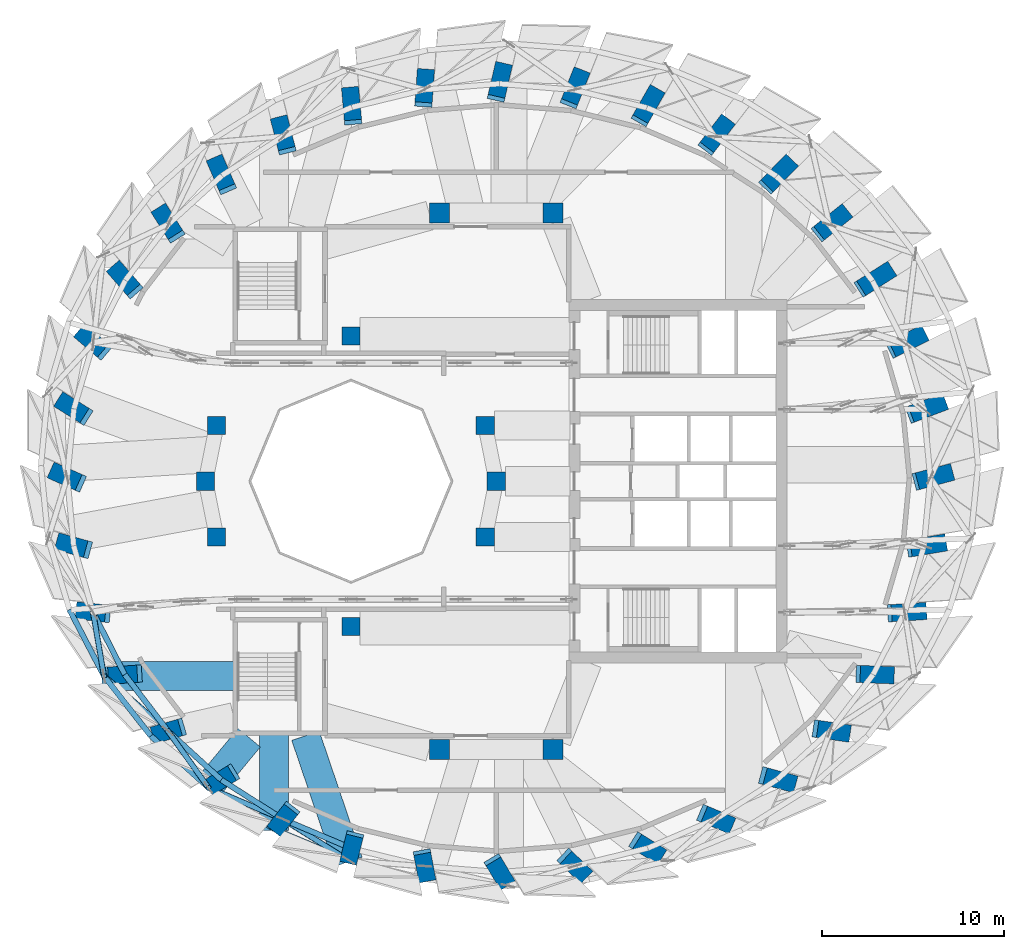
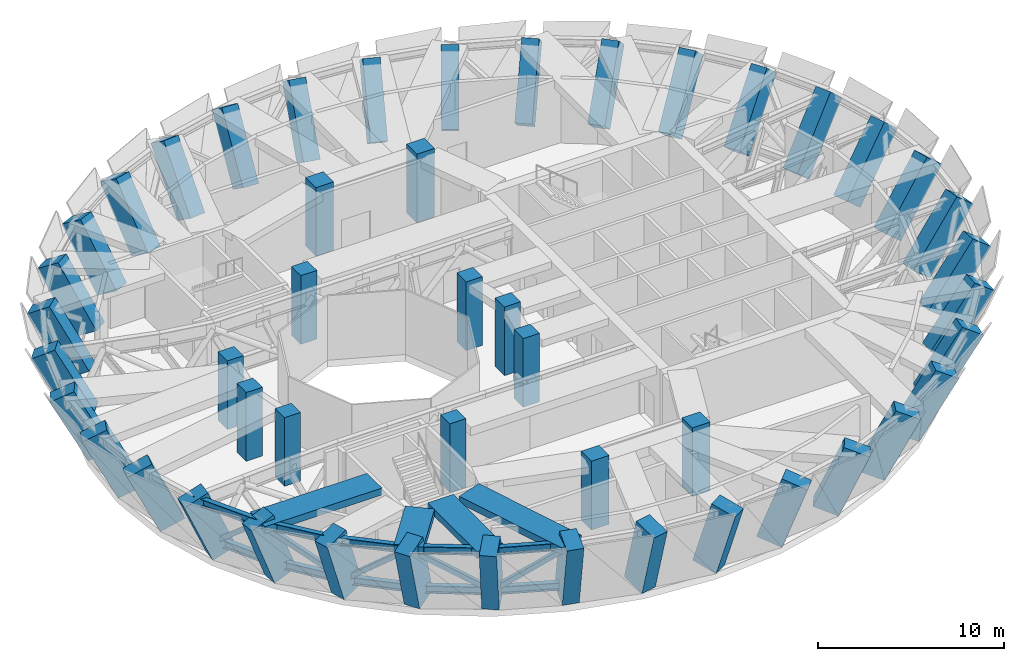
# One storey, part 1 of 16: 48 columns, 15 members, 4 beams.
"""IFC4 building model written with IfcOpenShell, lengths in metres."""

from ifc_helpers import new_model, si_unit, direction, frame, origin, origin_2d, place, context, subcontext, project, spatial, rectangle, hollow_rectangle, i_section, extrude, material, material_profile, profile_set, type_object, element, save


model = new_model("IFC4")

# Units and contexts
model_context = context("Model", 3, precision=1e-05, world=origin(), true_north=direction((0.0, 1.0)))
body_context = subcontext(model_context, "Body", "Model", "MODEL_VIEW")
ifc_project = project(units=[si_unit("LENGTHUNIT", "METRE"), si_unit("AREAUNIT", "SQUARE_METRE"), si_unit("VOLUMEUNIT", "CUBIC_METRE"), si_unit("PLANEANGLEUNIT", "RADIAN"), si_unit("MASSUNIT", "GRAM", prefix="KILO")], contexts=[model_context])

# Site, building, storey
site_placement = place(None, origin())
site = spatial("IfcSite", under=ifc_project, at=site_placement, CompositionType="ELEMENT")
building_placement = place(site_placement, origin())
building = spatial("IfcBuilding", under=site, at=building_placement, Name="Taillehof Tower", CompositionType="ELEMENT")
storey_placement = place(building_placement, frame((0.0, 0.0, 184.699951171875)))
storey = spatial("IfcBuildingStorey", under=building, at=storey_placement, Name="L52", CompositionType="ELEMENT", Elevation=184.699951171875)

# Columns
ifc_material_1 = material(Name="Concrete C50/60", Category="concrete")
ifc_material_profile_1 = material_profile(ifc_material_1, rectangle(XDim=1.0, YDim=1.0, at=origin_2d()), Name="RC 1000x1000")
ifc_profile_set_1 = profile_set([ifc_material_profile_1], Name="Concrete C50/60")
column_type_1 = type_object("IfcColumnType", Name="Atrium ring column C50/60 1000x1000", PredefinedType="COLUMN", material=ifc_profile_set_1)
for number, where, z_axis, x_axis, name in (
    (1, (0.0, 0.0, 0.0), (0.0, 0.0, 1.0), (1.0, 0.0, 0.0), "Column AC01"),
    (2, (-0.60888671875, 3.0615234375, 0.0), (0.0, 0.0, 1.0), (1.0, 0.0, 0.0), "Column AC02"),
    (3, (-8.0, 8.0, 0.0), (0.0, 0.0, 1.0), (1.0, 0.0, 0.0), "Column AC05"),
    (4, (-15.39111328125, 3.0615234375, 0.0), (0.0, 0.0, 1.0), (1.0, 0.0, 0.0), "Column AC08"),
    (5, (-16.0, 0.0, 0.0), (0.0, 0.0, 1.0), (1.0, 0.0, 0.0), "Column AC09"),
    (6, (-15.39111328125, -3.0615234375, 0.0), (0.0, 0.0, 1.0), (1.0, 0.0, 0.0), "Column AC10"),
    (7, (-8.0, -8.0, 0.0), (0.0, 0.0, 1.0), (1.0, 0.0, 0.0), "Column AC13"),
    (8, (-0.60888671875, -3.0615234375, 0.0), (0.0, 0.0, 1.0), (1.0, 0.0, 0.0), "Column AC16"),
):
    element("IfcColumn", number, at=place(storey_placement, frame(where, z_axis=z_axis, x_axis=x_axis)), inside=storey, type_object=column_type_1, Name=name, PredefinedType="COLUMN", context=body_context, shape_type="SweptSolid", body=[
        extrude(rectangle(XDim=1.0, YDim=1.0, at=origin_2d()), origin(), (0.0, 0.0, 1.0), 4.5),
    ])
ifc_material_2 = material(Name="Concrete C50/60", Category="concrete")
ifc_material_profile_2 = material_profile(ifc_material_2, rectangle(XDim=1.10009765625, YDim=1.10009765625, at=origin_2d()), Name="RC 1100x1100")
ifc_profile_set_2 = profile_set([ifc_material_profile_2], Name="Concrete C50/60")
column_type_2 = type_object("IfcColumnType", Name="Mid-ring column C50/60 1100x1100", PredefinedType="COLUMN", material=ifc_profile_set_2)
for number, where, z_axis, x_axis, name in (
    (9, (3.125732421875, 14.772216796875, 0.0), (0.0, 0.0, 1.0), (1.0, 0.0, 0.0), "Column MC05"),
    (10, (-3.125732421875, 14.772216796875, 0.0), (0.0, 0.0, 1.0), (1.0, 0.0, 0.0), "Column MC06"),
    (11, (-3.125732421875, -14.772216796875, 0.0), (0.0, 0.0, 1.0), (1.0, 0.0, 0.0), "Column MC14"),
    (12, (3.125732421875, -14.772216796875, 0.0), (0.0, 0.0, 1.0), (1.0, 0.0, 0.0), "Column MC15"),
):
    element("IfcColumn", number, at=place(storey_placement, frame(where, z_axis=z_axis, x_axis=x_axis)), inside=storey, type_object=column_type_2, Name=name, PredefinedType="COLUMN", context=body_context, shape_type="SweptSolid", body=[
        extrude(rectangle(XDim=1.10009765625, YDim=1.10009765625, at=origin_2d()), origin(), (0.0, 0.0, 1.0), 4.5),
    ])
ifc_material_3 = material(Name="Concrete C60/75", Category="concrete")
ifc_material_profile_3 = material_profile(ifc_material_3, rectangle(XDim=1.5, YDim=0.949951171875, at=origin_2d()), Name="RC 1500x950")
ifc_profile_set_3 = profile_set([ifc_material_profile_3], Name="Concrete C60/75")
column_type_3 = type_object("IfcColumnType", Name="Ring column C60/75 1500x950", PredefinedType="COLUMN", material=ifc_profile_set_3)
column_1_placement = place(storey_placement, frame((23.550048828125, 0.10009765625, 0.497314453125), z_axis=(0.640661367512, 0.170801321612, 0.74858527952), x_axis=(-0.723320974959, -0.192838502113, 0.663038520213)))
element("IfcColumn", 13, at=column_1_placement, inside=storey, type_object=column_type_3, Name="Ring column RC01", PredefinedType="COLUMN", context=body_context, shape_type="SweptSolid", body=[
    extrude(rectangle(XDim=1.5, YDim=0.949951171875, at=origin_2d()), origin(), (0.0, 0.0, 1.0), 4.6826171875),
])
column_2_placement = place(storey_placement, frame((23.19384765625, 3.82470703125, 0.503662109375), z_axis=(0.628685010167, 0.236028801395, 0.740976087943), x_axis=(-0.693698836963, -0.260437106611, 0.671531411847)))
element("IfcColumn", 14, at=column_2_placement, inside=storey, type_object=column_type_3, Name="Ring column RC02", PredefinedType="COLUMN", context=body_context, shape_type="SweptSolid", body=[
    extrude(rectangle(XDim=1.5, YDim=0.949951171875, at=origin_2d()), origin(), (0.0, 0.0, 1.0), 4.713623046875),
])
column_3_placement = place(storey_placement, frame((22.1357421875, 7.436279296875, 0.505859375), z_axis=(0.604291200793, 0.299639561642, 0.738273850101), x_axis=(-0.661425751717, -0.327969896041, 0.674501091368)))
element("IfcColumn", 15, at=column_3_placement, inside=storey, type_object=column_type_3, Name="Ring column RC03", PredefinedType="COLUMN", context=body_context, shape_type="SweptSolid", body=[
    extrude(rectangle(XDim=1.5, YDim=0.949951171875, at=origin_2d()), origin(), (0.0, 0.0, 1.0), 4.724853515625),
])
column_4_placement = place(storey_placement, frame((20.408203125, 10.824951171875, 0.50439453125), z_axis=(0.567801006315, 0.360368098348, 0.740092461062), x_axis=(-0.624865485454, -0.396585395608, 0.672505129408)))
element("IfcColumn", 16, at=column_4_placement, inside=storey, type_object=column_type_3, Name="Ring column RC04", PredefinedType="COLUMN", context=body_context, shape_type="SweptSolid", body=[
    extrude(rectangle(XDim=1.5, YDim=0.949951171875, at=origin_2d()), origin(), (0.0, 0.0, 1.0), 4.71728515625),
])
column_5_placement = place(storey_placement, frame((18.063720703125, 13.8876953125, 0.499755859375), z_axis=(0.519515908892, 0.416944285711, 0.745828856388), x_axis=(-0.581666535147, -0.466824083474, 0.666137611143)))
element("IfcColumn", 17, at=column_5_placement, inside=storey, type_object=column_type_3, Name="Ring column RC05", PredefinedType="COLUMN", context=body_context, shape_type="SweptSolid", body=[
    extrude(rectangle(XDim=1.5, YDim=0.949951171875, at=origin_2d()), origin(), (0.0, 0.0, 1.0), 4.69384765625),
])
column_6_placement = place(storey_placement, frame((15.17333984375, 16.53173828125, 0.491943359375), z_axis=(0.459982237547, 0.467686167012, 0.754775456892), x_axis=(-0.529256363481, -0.538120518139, 0.655983238866)))
element("IfcColumn", 18, at=column_6_placement, inside=storey, type_object=column_type_3, Name="Ring column RC06", PredefinedType="COLUMN", context=body_context, shape_type="SweptSolid", body=[
    extrude(rectangle(XDim=1.5, YDim=0.949951171875, at=origin_2d()), origin(), (0.0, 0.0, 1.0), 4.658447265625),
])
column_7_placement = place(storey_placement, frame((11.824951171875, 18.67626953125, 0.482177734375), z_axis=(0.389978273493, 0.511049786856, 0.765992859992), x_axis=(-0.464682275794, -0.608946175061, 0.642849079055)))
element("IfcColumn", 19, at=column_7_placement, inside=storey, type_object=column_type_3, Name="Ring column RC07", PredefinedType="COLUMN", context=body_context, shape_type="SweptSolid", body=[
    extrude(rectangle(XDim=1.5, YDim=0.949951171875, at=origin_2d()), origin(), (0.0, 0.0, 1.0), 4.61572265625),
])
column_8_placement = place(storey_placement, frame((8.120361328125, 20.25634765625, 0.470703125), z_axis=(0.310881556379, 0.545111045162, 0.778592708896), x_axis=(-0.385719039758, -0.676333814558, 0.627529595839)))
element("IfcColumn", 20, at=column_8_placement, inside=storey, type_object=column_type_3, Name="Ring column RC08", PredefinedType="COLUMN", context=body_context, shape_type="SweptSolid", body=[
    extrude(rectangle(XDim=1.5, YDim=0.949951171875, at=origin_2d()), origin(), (0.0, 0.0, 1.0), 4.570556640625),
])
column_9_placement = place(storey_placement, frame((4.172119140625, 21.22412109375, 0.458251953125), z_axis=(0.224562667741, 0.568309652414, 0.79157801083), x_axis=(-0.290898612957, -0.736188660745, 0.611068124492)))
element("IfcColumn", 21, at=column_9_placement, inside=storey, type_object=column_type_3, Name="Ring column RC09", PredefinedType="COLUMN", context=body_context, shape_type="SweptSolid", body=[
    extrude(rectangle(XDim=1.5, YDim=0.949951171875, at=origin_2d()), origin(), (0.0, 0.0, 1.0), 4.527099609375),
])
column_10_placement = place(storey_placement, frame((0.10009765625, 21.550048828125, 0.446044921875), z_axis=(0.133671482854, 0.579351901062, 0.804041857995), x_axis=(-0.180764216375, -0.783458746512, 0.594572695801)))
element("IfcColumn", 22, at=column_10_placement, inside=storey, type_object=column_type_3, Name="Ring column RC10", PredefinedType="COLUMN", context=body_context, shape_type="SweptSolid", body=[
    extrude(rectangle(XDim=1.5, YDim=0.949951171875, at=origin_2d()), origin(), (0.0, 0.0, 1.0), 4.487548828125),
])
column_11_placement = place(storey_placement, frame((-3.97216796875, 21.22412109375, 0.434326171875), z_axis=(0.04116386065, 0.57760953865, 0.815274651536), x_axis=(-0.057954294046, -0.813212184635, 0.579074470654)))
element("IfcColumn", 23, at=column_11_placement, inside=storey, type_object=column_type_3, Name="Ring column RC11", PredefinedType="COLUMN", context=body_context, shape_type="SweptSolid", body=[
    extrude(rectangle(XDim=1.5, YDim=0.949951171875, at=origin_2d()), origin(), (0.0, 0.0, 1.0), 4.4541015625),
])
column_12_placement = place(storey_placement, frame((-7.92041015625, 20.25634765625, 0.423828125), z_axis=(-0.049857257906, 0.562824465626, 0.825071436136), x_axis=(0.072803061386, -0.821853143195, 0.56502842873)))
element("IfcColumn", 24, at=column_12_placement, inside=storey, type_object=column_type_3, Name="Ring column RC12", PredefinedType="COLUMN", context=body_context, shape_type="SweptSolid", body=[
    extrude(rectangle(XDim=1.5, YDim=0.949951171875, at=origin_2d()), origin(), (0.0, 0.0, 1.0), 4.4267578125),
])
column_13_placement = place(storey_placement, frame((-11.625, 18.67626953125, 0.41455078125), z_axis=(-0.136239004263, 0.535533465904, 0.833452362534), x_axis=(0.20548408429, -0.807724663309, 0.552591313166)))
element("IfcColumn", 25, at=column_13_placement, inside=storey, type_object=column_type_3, Name="Ring column RC13", PredefinedType="COLUMN", context=body_context, shape_type="SweptSolid", body=[
    extrude(rectangle(XDim=1.5, YDim=0.949951171875, at=origin_2d()), origin(), (0.0, 0.0, 1.0), 4.40478515625),
])
column_14_placement = place(storey_placement, frame((-14.973388671875, 16.53173828125, 0.406005859375), z_axis=(-0.214919524753, 0.496747433021, 0.840863595161), x_axis=(0.333891871212, -0.771730395932, 0.541247091755)))
element("IfcColumn", 26, at=column_14_placement, inside=storey, type_object=column_type_3, Name="Ring column RC14", PredefinedType="COLUMN", context=body_context, shape_type="SweptSolid", body=[
    extrude(rectangle(XDim=1.5, YDim=0.949951171875, at=origin_2d()), origin(), (0.0, 0.0, 1.0), 4.385986328125),
])
column_15_placement = place(storey_placement, frame((-17.86376953125, 13.8876953125, 0.397705078125), z_axis=(-0.283468779631, 0.447917551257, 0.847947709621), x_axis=(0.45345373482, -0.716515895587, 0.530079882423)))
element("IfcColumn", 27, at=column_15_placement, inside=storey, type_object=column_type_3, Name="Ring column RC15", PredefinedType="COLUMN", context=body_context, shape_type="SweptSolid", body=[
    extrude(rectangle(XDim=1.5, YDim=0.949951171875, at=origin_2d()), origin(), (0.0, 0.0, 1.0), 4.369140625),
])
column_16_placement = place(storey_placement, frame((-20.208251953125, 10.824951171875, 0.388427734375), z_axis=(-0.339736382165, 0.390618300696, 0.855567959776), x_axis=(0.561469751943, -0.645560416575, 0.517690511991)))
element("IfcColumn", 28, at=column_16_placement, inside=storey, type_object=column_type_3, Name="Ring column RC16", PredefinedType="COLUMN", context=body_context, shape_type="SweptSolid", body=[
    extrude(rectangle(XDim=1.5, YDim=0.949951171875, at=origin_2d()), origin(), (0.0, 0.0, 1.0), 4.35205078125),
])
column_17_placement = place(storey_placement, frame((-21.935791015625, 7.436279296875, 0.376953125), z_axis=(-0.381988419085, 0.326718413315, 0.864488245198), x_axis=(0.656963103569, -0.561906937699, 0.502653035318)))
element("IfcColumn", 29, at=column_17_placement, inside=storey, type_object=column_type_3, Name="Ring column RC17", PredefinedType="COLUMN", context=body_context, shape_type="SweptSolid", body=[
    extrude(rectangle(XDim=1.5, YDim=0.949951171875, at=origin_2d()), origin(), (0.0, 0.0, 1.0), 4.333251953125),
])
column_18_placement = place(storey_placement, frame((-22.99365234375, 3.82470703125, 0.36279296875), z_axis=(-0.408981777237, 0.257991411803, 0.875313850755), x_axis=(0.740323732256, -0.467006540406, 0.483555232291)))
element("IfcColumn", 30, at=column_18_placement, inside=storey, type_object=column_type_3, Name="Ring column RC18", PredefinedType="COLUMN", context=body_context, shape_type="SweptSolid", body=[
    extrude(rectangle(XDim=1.5, YDim=0.949951171875, at=origin_2d()), origin(), (0.0, 0.0, 1.0), 4.312255859375),
])
column_19_placement = place(storey_placement, frame((-23.35009765625, 0.10009765625, 0.344482421875), z_axis=(-0.419526522647, 0.186430939798, 0.888392369104), x_axis=(0.81184137051, -0.360769442457, 0.459084957843)))
element("IfcColumn", 31, at=column_19_placement, inside=storey, type_object=column_type_3, Name="Ring column RC19", PredefinedType="COLUMN", context=body_context, shape_type="SweptSolid", body=[
    extrude(rectangle(XDim=1.5, YDim=0.949951171875, at=origin_2d()), origin(), (0.0, 0.0, 1.0), 4.2900390625),
])
column_20_placement = place(storey_placement, frame((-22.99365234375, -3.624755859375, 0.321533203125), z_axis=(-0.413115379014, 0.114201468977, 0.903489738794), x_axis=(0.870828375203, -0.240731487442, 0.428609719785)))
element("IfcColumn", 32, at=column_20_placement, inside=storey, type_object=column_type_3, Name="Ring column RC20", PredefinedType="COLUMN", context=body_context, shape_type="SweptSolid", body=[
    extrude(rectangle(XDim=1.5, YDim=0.949951171875, at=origin_2d()), origin(), (0.0, 0.0, 1.0), 4.269287109375),
])
column_21_placement = place(storey_placement, frame((-21.935791015625, -7.236328125, 0.293701171875), z_axis=(-0.389262520147, 0.043347080046, 0.920106363993), x_axis=(0.914454050086, -0.101830797613, 0.391668583039)))
element("IfcColumn", 33, at=column_21_placement, inside=storey, type_object=column_type_3, Name="Ring column RC21", PredefinedType="COLUMN", context=body_context, shape_type="SweptSolid", body=[
    extrude(rectangle(XDim=1.5, YDim=0.949951171875, at=origin_2d()), origin(), (0.0, 0.0, 1.0), 4.25244140625),
])
column_22_placement = place(storey_placement, frame((-20.208251953125, -10.625, 0.261962890625), z_axis=(-0.348439204623, -0.023589840472, 0.937034492486), x_axis=(0.934894403892, 0.063293709643, 0.349236824937)))
element("IfcColumn", 34, at=column_22_placement, inside=storey, type_object=column_type_3, Name="Ring column RC22", PredefinedType="COLUMN", context=body_context, shape_type="SweptSolid", body=[
    extrude(rectangle(XDim=1.5, YDim=0.949951171875, at=origin_2d()), origin(), (0.0, 0.0, 1.0), 4.2431640625),
])
column_23_placement = place(storey_placement, frame((-17.86376953125, -13.687744140625, 0.227783203125), z_axis=(-0.291769575471, -0.08414328581, 0.952780364136), x_axis=(0.915471408279, 0.264012353699, 0.303660299871)))
element("IfcColumn", 35, at=column_23_placement, inside=storey, type_object=column_type_3, Name="Ring column RC23", PredefinedType="COLUMN", context=body_context, shape_type="SweptSolid", body=[
    extrude(rectangle(XDim=1.5, YDim=0.949951171875, at=origin_2d()), origin(), (0.0, 0.0, 1.0), 4.244873046875),
])
column_24_placement = place(storey_placement, frame((-14.973388671875, -16.33154296875, 0.195068359375), z_axis=(-0.221461411378, -0.136054511212, 0.965631406516), x_axis=(0.822768251203, 0.505466535056, 0.259915345355)))
element("IfcColumn", 36, at=column_24_placement, inside=storey, type_object=column_type_3, Name="Ring column RC24", PredefinedType="COLUMN", context=body_context, shape_type="SweptSolid", body=[
    extrude(rectangle(XDim=1.5, YDim=0.949951171875, at=origin_2d()), origin(), (0.0, 0.0, 1.0), 4.25634765625),
])
column_25_placement = place(storey_placement, frame((-11.625, -18.476318359375, 0.169921875), z_axis=(-0.140500038504, -0.177654239085, 0.974011658306), x_axis=(0.604194068875, 0.763968741279, 0.226497879647)))
element("IfcColumn", 37, at=column_25_placement, inside=storey, type_object=column_type_3, Name="Ring column RC25", PredefinedType="COLUMN", context=body_context, shape_type="SweptSolid", body=[
    extrude(rectangle(XDim=1.5, YDim=0.949951171875, at=origin_2d()), origin(), (0.0, 0.0, 1.0), 4.271240234375),
])
column_26_placement = place(storey_placement, frame((-7.92041015625, -20.056396484375, 0.1611328125), z_axis=(-0.051593855081, -0.208372970022, 0.976687657075), x_axis=(0.234742481958, 0.948058408879, 0.214665368697)))
element("IfcColumn", 38, at=column_26_placement, inside=storey, type_object=column_type_3, Name="Ring column RC26", PredefinedType="COLUMN", context=body_context, shape_type="SweptSolid", body=[
    extrude(rectangle(XDim=1.5, YDim=0.949951171875, at=origin_2d()), origin(), (0.0, 0.0, 1.0), 4.277587890625),
])
column_27_placement = place(storey_placement, frame((-3.97216796875, -21.024169921875, 0.174072265625), z_axis=(0.042954678176, -0.227871421909, 0.972743291265), x_axis=(-0.180192503678, 0.955908035492, 0.231884646537)))
element("IfcColumn", 39, at=column_27_placement, inside=storey, type_object=column_type_3, Name="Ring column RC27", PredefinedType="COLUMN", context=body_context, shape_type="SweptSolid", body=[
    extrude(rectangle(XDim=1.5, YDim=0.949951171875, at=origin_2d()), origin(), (0.0, 0.0, 1.0), 4.2685546875),
])
column_28_placement = place(storey_placement, frame((0.10009765625, -21.35009765625, 0.205810546875), z_axis=(0.141086702046, -0.235201925755, 0.96165201431), x_axis=(-0.494677052972, 0.824663088716, 0.27427249839)))
element("IfcColumn", 40, at=column_28_placement, inside=storey, type_object=column_type_3, Name="Ring column RC28", PredefinedType="COLUMN", context=body_context, shape_type="SweptSolid", body=[
    extrude(rectangle(XDim=1.5, YDim=0.949951171875, at=origin_2d()), origin(), (0.0, 0.0, 1.0), 4.251708984375),
])
column_29_placement = place(storey_placement, frame((4.172119140625, -21.024169921875, 0.248779296875), z_axis=(0.239621435713, -0.229263160394, 0.943408697666), x_axis=(-0.681661281299, 0.652194655306, 0.331632370506)))
element("IfcColumn", 41, at=column_29_placement, inside=storey, type_object=column_type_3, Name="Ring column RC29", PredefinedType="COLUMN", context=body_context, shape_type="SweptSolid", body=[
    extrude(rectangle(XDim=1.5, YDim=0.949951171875, at=origin_2d()), origin(), (0.0, 0.0, 1.0), 4.242431640625),
])
column_30_placement = place(storey_placement, frame((8.120361328125, -20.056396484375, 0.2958984375), z_axis=(0.334080086982, -0.209574982401, 0.918949847507), x_axis=(-0.778455281915, 0.488340246439, 0.394374413174)))
element("IfcColumn", 42, at=column_30_placement, inside=storey, type_object=column_type_3, Name="Ring column RC30", PredefinedType="COLUMN", context=body_context, shape_type="SweptSolid", body=[
    extrude(rectangle(XDim=1.5, YDim=0.949951171875, at=origin_2d()), origin(), (0.0, 0.0, 1.0), 4.253173828125),
])
column_31_placement = place(storey_placement, frame((11.824951171875, -18.476318359375, 0.341796875), z_axis=(0.419835312824, -0.17697655666, 0.890178413858), x_axis=(-0.820277441268, 0.345778148306, 0.455612106403)))
element("IfcColumn", 43, at=column_31_placement, inside=storey, type_object=column_type_3, Name="Ring column RC31", PredefinedType="COLUMN", context=body_context, shape_type="SweptSolid", body=[
    extrude(rectangle(XDim=1.5, YDim=0.949951171875, at=origin_2d()), origin(), (0.0, 0.0, 1.0), 4.28759765625),
])
column_32_placement = place(storey_placement, frame((15.17333984375, -16.33154296875, 0.38330078125), z_axis=(0.493348917889, -0.133328430356, 0.859552427067), x_axis=(-0.829784308789, 0.224250698467, 0.511047576184)))
element("IfcColumn", 44, at=column_32_placement, inside=storey, type_object=column_type_3, Name="Ring column RC32", PredefinedType="COLUMN", context=body_context, shape_type="SweptSolid", body=[
    extrude(rectangle(XDim=1.5, YDim=0.949951171875, at=origin_2d()), origin(), (0.0, 0.0, 1.0), 4.343505859375),
])
column_33_placement = place(storey_placement, frame((18.063720703125, -13.687744140625, 0.418701171875), z_axis=(0.552371010599, -0.080908969614, 0.829662585203), x_axis=(-0.820903020973, 0.120242402852, 0.558265165234)))
element("IfcColumn", 45, at=column_33_placement, inside=storey, type_object=column_type_3, Name="Ring column RC33", PredefinedType="COLUMN", context=body_context, shape_type="SweptSolid", body=[
    extrude(rectangle(XDim=1.5, YDim=0.949951171875, at=origin_2d()), origin(), (0.0, 0.0, 1.0), 4.41455078125),
])
column_34_placement = place(storey_placement, frame((20.408203125, -10.625, 0.447509765625), z_axis=(0.596244983469, -0.022282421222, 0.802493248191), x_axis=(-0.801933449266, 0.029969256604, 0.596661199181)))
element("IfcColumn", 46, at=column_34_placement, inside=storey, type_object=column_type_3, Name="Ring column RC34", PredefinedType="COLUMN", context=body_context, shape_type="SweptSolid", body=[
    extrude(rectangle(XDim=1.5, YDim=0.949951171875, at=origin_2d()), origin(), (0.0, 0.0, 1.0), 4.4921875),
])
column_35_placement = place(storey_placement, frame((22.1357421875, -7.236328125, 0.469970703125), z_axis=(0.62511784816, 0.040356047487, 0.779486411263), x_axis=(-0.77786714938, -0.05021716099, 0.626419136567)))
element("IfcColumn", 47, at=column_35_placement, inside=storey, type_object=column_type_3, Name="Ring column RC35", PredefinedType="COLUMN", context=body_context, shape_type="SweptSolid", body=[
    extrude(rectangle(XDim=1.5, YDim=0.949951171875, at=origin_2d()), origin(), (0.0, 0.0, 1.0), 4.5673828125),
])
column_36_placement = place(storey_placement, frame((23.19384765625, -3.624755859375, 0.486328125), z_axis=(0.639646462332, 0.10523759971, 0.761431185882), x_axis=(-0.75133044255, -0.12361236561, 0.648245747511)))
element("IfcColumn", 48, at=column_36_placement, inside=storey, type_object=column_type_3, Name="Ring column RC36", PredefinedType="COLUMN", context=body_context, shape_type="SweptSolid", body=[
    extrude(rectangle(XDim=1.5, YDim=0.949951171875, at=origin_2d()), origin(), (0.0, 0.0, 1.0), 4.6328125),
])

# Members
ifc_material_4 = material(Name="Steel S460M", Category="steel")
ifc_material_profile_4 = material_profile(ifc_material_4, i_section(OverallWidth=0.300048828125, OverallDepth=0.5, WebThickness=0.014404296875, FlangeThickness=0.028076171875, FilletRadius=0.027099609375, at=origin_2d()), Name="HEB 500")
ifc_profile_set_4 = profile_set([ifc_material_profile_4], Name="Steel S460M")
member_type_1 = type_object("IfcMemberType", Name="Belt truss chord HEB 500", PredefinedType="CHORD", material=ifc_profile_set_4)
member_1_placement = place(storey_placement, frame((-22.1923828125, -7.207763671875, 0.900146484375), z_axis=(0.453464309729, -0.891274435739, 0.0), x_axis=(0.891274435739, 0.453464309729, 0.0)))
element("IfcMember", 49, at=member_1_placement, inside=storey, type_object=member_type_1, Name="Belt truss bottom chord BB21", PredefinedType="CHORD", context=body_context, shape_type="SweptSolid", body=[
    extrude(i_section(OverallWidth=0.300048828125, OverallDepth=0.5, WebThickness=0.014404296875, FlangeThickness=0.028076171875, FilletRadius=0.027099609375, at=origin_2d()), origin(), (0.0, 0.0, 1.0), 3.852294921875),
])
member_2_placement = place(storey_placement, frame((-23.4912109375, -7.06298828125, 3.969970703125), z_axis=(0.461984897475, -0.886887791383, 0.0), x_axis=(0.886887791383, 0.461984897475, 0.0)))
element("IfcMember", 50, at=member_2_placement, inside=storey, type_object=member_type_1, Name="Belt truss top chord BT21", PredefinedType="CHORD", context=body_context, shape_type="SweptSolid", body=[
    extrude(i_section(OverallWidth=0.300048828125, OverallDepth=0.5, WebThickness=0.014404296875, FlangeThickness=0.028076171875, FilletRadius=0.027099609375, at=origin_2d()), origin(), (0.0, 0.0, 1.0), 4.12158203125),
])
member_3_placement = place(storey_placement, frame((-20.445556640625, -10.64111328125, 0.900146484375), z_axis=(0.607584504061, -0.79425504117, 0.0), x_axis=(0.79425504117, 0.607584504061, 0.0)))
element("IfcMember", 51, at=member_3_placement, inside=storey, type_object=member_type_1, Name="Belt truss bottom chord BB22", PredefinedType="CHORD", context=body_context, shape_type="SweptSolid", body=[
    extrude(i_section(OverallWidth=0.300048828125, OverallDepth=0.5, WebThickness=0.014404296875, FlangeThickness=0.028076171875, FilletRadius=0.027099609375, at=origin_2d()), origin(), (0.0, 0.0, 1.0), 3.91064453125),
])
member_4_placement = place(storey_placement, frame((-21.587158203125, -10.71826171875, 3.969970703125), z_axis=(0.615558043662, -0.788091552348, 0.0), x_axis=(0.788091552348, 0.615558043662, 0.0)))
element("IfcMember", 52, at=member_4_placement, inside=storey, type_object=member_type_1, Name="Belt truss top chord BT22", PredefinedType="CHORD", context=body_context, shape_type="SweptSolid", body=[
    extrude(i_section(OverallWidth=0.300048828125, OverallDepth=0.5, WebThickness=0.014404296875, FlangeThickness=0.028076171875, FilletRadius=0.027099609375, at=origin_2d()), origin(), (0.0, 0.0, 1.0), 4.18701171875),
])
member_5_placement = place(storey_placement, frame((-18.069580078125, -13.7470703125, 0.900146484375), z_axis=(0.737928349626, -0.674879063847, 0.0), x_axis=(0.674879063847, 0.737928349626, 0.0)))
element("IfcMember", 53, at=member_5_placement, inside=storey, type_object=member_type_1, Name="Belt truss bottom chord BB23", PredefinedType="CHORD", context=body_context, shape_type="SweptSolid", body=[
    extrude(i_section(OverallWidth=0.300048828125, OverallDepth=0.5, WebThickness=0.014404296875, FlangeThickness=0.028076171875, FilletRadius=0.027099609375, at=origin_2d()), origin(), (0.0, 0.0, 1.0), 3.976806640625),
])
member_6_placement = place(storey_placement, frame((-19.009765625, -14.01806640625, 3.969970703125), z_axis=(0.744270770511, -0.667877997963, 0.0), x_axis=(0.667877997963, 0.744270770511, 0.0)))
element("IfcMember", 54, at=member_6_placement, inside=storey, type_object=member_type_1, Name="Belt truss top chord BT23", PredefinedType="CHORD", context=body_context, shape_type="SweptSolid", body=[
    extrude(i_section(OverallWidth=0.300048828125, OverallDepth=0.5, WebThickness=0.014404296875, FlangeThickness=0.028076171875, FilletRadius=0.027099609375, at=origin_2d()), origin(), (0.0, 0.0, 1.0), 4.260009765625),
])
member_7_placement = place(storey_placement, frame((-15.135009765625, -16.430908203125, 0.900146484375), z_axis=(0.842338307218, -0.538949140636, 0.0), x_axis=(0.538949140636, 0.842338307218, 0.0)))
element("IfcMember", 55, at=member_7_placement, inside=storey, type_object=member_type_1, Name="Belt truss bottom chord BB24", PredefinedType="CHORD", context=body_context, shape_type="SweptSolid", body=[
    extrude(i_section(OverallWidth=0.300048828125, OverallDepth=0.5, WebThickness=0.014404296875, FlangeThickness=0.028076171875, FilletRadius=0.027099609375, at=origin_2d()), origin(), (0.0, 0.0, 1.0), 4.0419921875),
])
member_8_placement = place(storey_placement, frame((-15.839111328125, -16.86328125, 3.969970703125), z_axis=(0.846449279077, -0.532469358695, 0.0), x_axis=(0.532469358695, 0.846449279077, 0.0)))
element("IfcMember", 56, at=member_8_placement, inside=storey, type_object=member_type_1, Name="Belt truss top chord BT24", PredefinedType="CHORD", context=body_context, shape_type="SweptSolid", body=[
    extrude(i_section(OverallWidth=0.300048828125, OverallDepth=0.5, WebThickness=0.014404296875, FlangeThickness=0.028076171875, FilletRadius=0.027099609375, at=origin_2d()), origin(), (0.0, 0.0, 1.0), 4.3310546875),
])
member_9_placement = place(storey_placement, frame((-11.730224609375, -18.609375, 0.900146484375), z_axis=(0.920140477616, -0.391588433757, 0.0), x_axis=(0.391588433757, 0.920140477616, 0.0)))
element("IfcMember", 57, at=member_9_placement, inside=storey, type_object=member_type_1, Name="Belt truss bottom chord BB25", PredefinedType="CHORD", context=body_context, shape_type="SweptSolid", body=[
    extrude(i_section(OverallWidth=0.300048828125, OverallDepth=0.5, WebThickness=0.014404296875, FlangeThickness=0.028076171875, FilletRadius=0.027099609375, at=origin_2d()), origin(), (0.0, 0.0, 1.0), 4.097900390625),
])
member_10_placement = place(storey_placement, frame((-12.173095703125, -19.16943359375, 3.969970703125), z_axis=(0.92213043901, -0.386879119946, 0.0), x_axis=(0.386879119946, 0.92213043901, 0.0)))
element("IfcMember", 58, at=member_10_placement, inside=storey, type_object=member_type_1, Name="Belt truss top chord BT25", PredefinedType="CHORD", context=body_context, shape_type="SweptSolid", body=[
    extrude(i_section(OverallWidth=0.300048828125, OverallDepth=0.5, WebThickness=0.014404296875, FlangeThickness=0.028076171875, FilletRadius=0.027099609375, at=origin_2d()), origin(), (0.0, 0.0, 1.0), 4.393310546875),
])
ifc_material_5 = material(Name="Steel S460M", Category="steel")
ifc_material_profile_5 = material_profile(ifc_material_5, hollow_rectangle(XDim=0.300048828125, YDim=0.300048828125, WallThickness=0.012451171875, InnerFilletRadius=0.012451171875, OuterFilletRadius=0.018798828125, at=origin_2d()), Name="RHS 300x300x12.5")
ifc_profile_set_5 = profile_set([ifc_material_profile_5], Name="Steel S460M")
member_type_2 = type_object("IfcMemberType", Name="Belt truss diagonal RHS 300x300x12.5", PredefinedType="BRACE", material=ifc_profile_set_5)
member_11_placement = place(storey_placement, frame((-22.1923828125, -7.207763671875, 0.900146484375), z_axis=(0.128702129737, -0.746513886035, 0.652803783504), x_axis=(0.985461698491, 0.169897736321, 0.0)))
element("IfcMember", 59, at=member_11_placement, inside=storey, type_object=member_type_2, Name="Belt truss diagonal BX21", PredefinedType="BRACE", context=body_context, shape_type="SweptSolid", body=[
    extrude(hollow_rectangle(XDim=0.300048828125, YDim=0.300048828125, WallThickness=0.012451171875, InnerFilletRadius=0.012451171875, OuterFilletRadius=0.018798828125, at=origin_2d()), origin(), (0.0, 0.0, 1.0), 4.70263671875),
])
member_12_placement = place(storey_placement, frame((-21.587158203125, -10.71826171875, 3.969970703125), z_axis=(0.632072845035, -0.544245954713, -0.551616043411), x_axis=(0.652496289717, 0.757791918607, 0.0)))
element("IfcMember", 60, at=member_12_placement, inside=storey, type_object=member_type_2, Name="Belt truss diagonal BX22", PredefinedType="BRACE", context=body_context, shape_type="SweptSolid", body=[
    extrude(hollow_rectangle(XDim=0.300048828125, YDim=0.300048828125, WallThickness=0.012451171875, InnerFilletRadius=0.012451171875, OuterFilletRadius=0.018798828125, at=origin_2d()), origin(), (0.0, 0.0, 1.0), 5.565185546875),
])
member_13_placement = place(storey_placement, frame((-18.069580078125, -13.7470703125, 0.900146484375), z_axis=(0.45425665736, -0.634646669718, 0.625199563227), x_axis=(0.813164878715, 0.582033401124, 0.0)))
element("IfcMember", 61, at=member_13_placement, inside=storey, type_object=member_type_2, Name="Belt truss diagonal BX23", PredefinedType="BRACE", context=body_context, shape_type="SweptSolid", body=[
    extrude(hollow_rectangle(XDim=0.300048828125, YDim=0.300048828125, WallThickness=0.012451171875, InnerFilletRadius=0.012451171875, OuterFilletRadius=0.018798828125, at=origin_2d()), origin(), (0.0, 0.0, 1.0), 4.91015625),
])
member_14_placement = place(storey_placement, frame((-15.839111328125, -16.86328125, 3.969970703125), z_axis=(0.758365525829, -0.322271553222, -0.566588717871), x_axis=(0.391105901159, 0.920345681838, 0.0)))
element("IfcMember", 62, at=member_14_placement, inside=storey, type_object=member_type_2, Name="Belt truss diagonal BX24", PredefinedType="BRACE", context=body_context, shape_type="SweptSolid", body=[
    extrude(hollow_rectangle(XDim=0.300048828125, YDim=0.300048828125, WallThickness=0.012451171875, InnerFilletRadius=0.012451171875, OuterFilletRadius=0.018798828125, at=origin_2d()), origin(), (0.0, 0.0, 1.0), 5.41796875),
])
member_15_placement = place(storey_placement, frame((-11.730224609375, -18.609375, 0.900146484375), z_axis=(0.687458657118, -0.430522146839, 0.584851498958), x_axis=(0.530761573218, 0.847521181089, 0.0)))
element("IfcMember", 63, at=member_15_placement, inside=storey, type_object=member_type_2, Name="Belt truss diagonal BX25", PredefinedType="BRACE", context=body_context, shape_type="SweptSolid", body=[
    extrude(hollow_rectangle(XDim=0.300048828125, YDim=0.300048828125, WallThickness=0.012451171875, InnerFilletRadius=0.012451171875, OuterFilletRadius=0.018798828125, at=origin_2d()), origin(), (0.0, 0.0, 1.0), 5.248779296875),
])

# Beams
ifc_material_6 = material(Name="Concrete C50/60", Category="concrete")
ifc_material_profile_6 = material_profile(ifc_material_6, rectangle(XDim=1.60009765625, YDim=0.449951171875, at=origin_2d()), Name="RC 1600x450")
ifc_profile_set_6 = profile_set([ifc_material_profile_6], Name="Concrete C50/60")
beam_type = type_object("IfcBeamType", Name="Radial band beam C50/60 1600x450", PredefinedType="BEAM", material=ifc_profile_set_6)
beam_1_placement = place(storey_placement, frame((-21.686767578125, -10.72509765625, 3.9951171875), z_axis=(1.0, 0.0, 0.0), x_axis=(0.0, 1.0, 0.0)))
element("IfcBeam", 64, at=beam_1_placement, inside=storey, type_object=beam_type, Name="Radial band beam RB22", PredefinedType="BEAM", context=body_context, shape_type="SweptSolid", body=[
    extrude(rectangle(XDim=1.60009765625, YDim=0.449951171875, at=origin_2d()), origin(), (0.0, 0.0, 1.0), 7.23681640625),
])
beam_2_placement = place(storey_placement, frame((-15.916015625, -16.91064453125, 3.9951171875), z_axis=(0.638722345868, 0.769437304066, 0.0), x_axis=(-0.769437304066, 0.638722345868, 0.0)))
element("IfcBeam", 65, at=beam_2_placement, inside=storey, type_object=beam_type, Name="Radial band beam RB24", PredefinedType="BEAM", context=body_context, shape_type="SweptSolid", body=[
    extrude(rectangle(XDim=1.60009765625, YDim=0.449951171875, at=origin_2d()), origin(), (0.0, 0.0, 1.0), 3.6328125),
])
beam_3_placement = place(storey_placement, frame((-12.22509765625, -19.235107421875, 3.9951171875), z_axis=(0.0, 1.0, 0.0), x_axis=(-1.0, 0.0, 0.0)))
element("IfcBeam", 66, at=beam_3_placement, inside=storey, type_object=beam_type, Name="Radial band beam RB25", PredefinedType="BEAM", context=body_context, shape_type="SweptSolid", body=[
    extrude(rectangle(XDim=1.60009765625, YDim=0.449951171875, at=origin_2d()), origin(), (0.0, 0.0, 1.0), 5.28515625),
])
beam_4_placement = place(storey_placement, frame((-8.14111328125, -20.94775390625, 3.9951171875), z_axis=(-0.321488890205, 0.946913350563, 0.0), x_axis=(-0.946913350563, -0.321488890205, 0.0)))
element("IfcBeam", 67, at=beam_4_placement, inside=storey, type_object=beam_type, Name="Radial band beam RB26", PredefinedType="BEAM", context=body_context, shape_type="SweptSolid", body=[
    extrude(rectangle(XDim=1.60009765625, YDim=0.449951171875, at=origin_2d()), origin(), (0.0, 0.0, 1.0), 7.329833984375),
])

save(model, "model.ifc")
